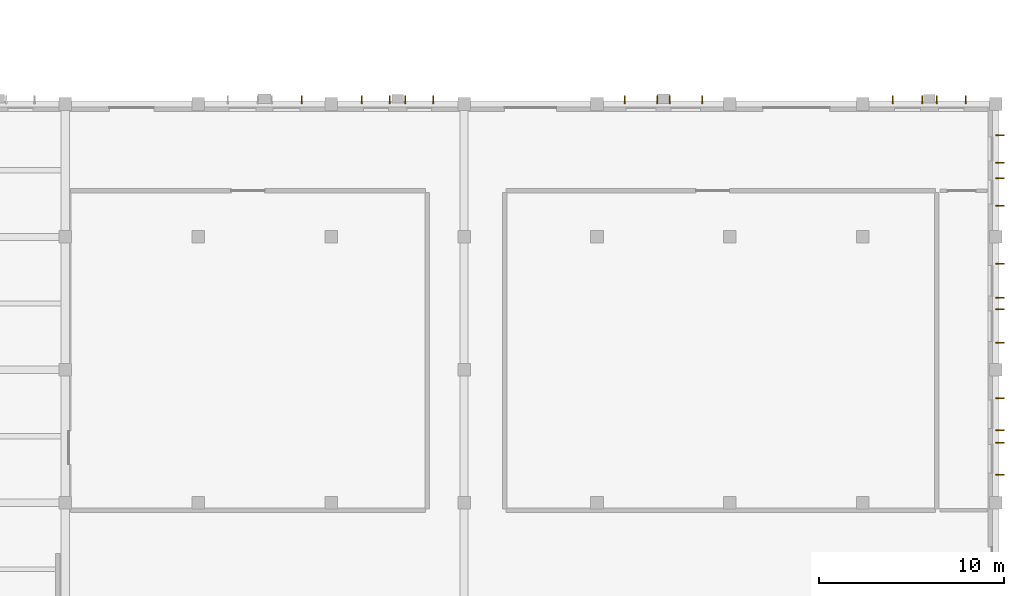
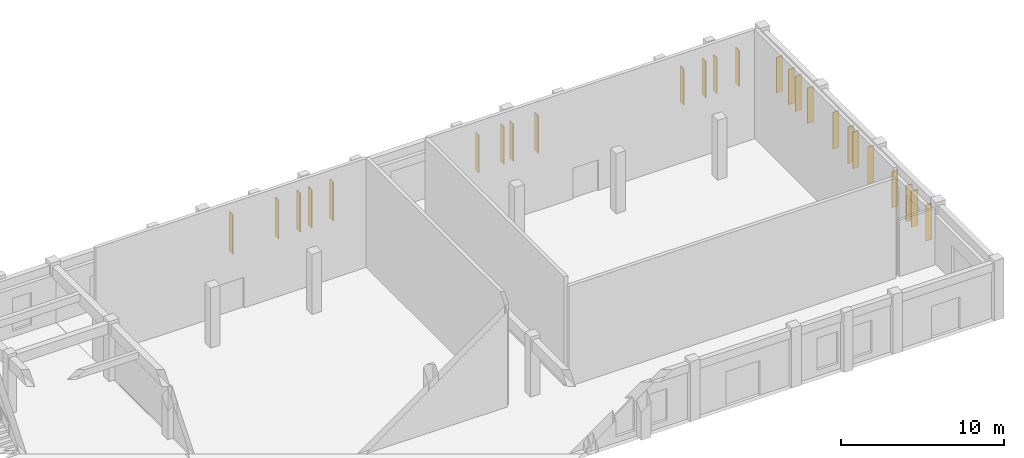
# One storey, part 43 of 43: 25 coverings.
"""IFC4 building model written with IfcOpenShell, lengths in metres."""

import ifcopenshell
import ifcopenshell.guid

model = None  # the IFC model being written
_history = None  # IfcOwnerHistory: only IFC2X3 demands one
_inside = {}  # id of a spatial element -> (the spatial element, [elements in it])
_under = {}  # id of a project, library or spatial element -> (it, [spatial elements below it])
_declared = {}  # id of a project -> (the project, [libraries it declares])
_typed = {}  # id of a type object -> (the type object, [elements of that type])
_made_of = {}  # id of a material, layer set ... -> (it, [elements and type objects made of it])


def new_model(schema):
    """Start an empty IFC model of exactly this schema.

    Asked for "IFC4X3", IfcOpenShell would pick the latest addendum, in which some entities
    have other attributes; the version numbers below select the first issue.
    IFC2X3 requires an IfcOwnerHistory on every rooted entity: one is made here for all.
    """
    global model, _history
    if schema == "IFC4X3":
        model = ifcopenshell.file(schema_version=(4, 3, 0, 0))
    else:
        model = ifcopenshell.file(schema=schema)
    _inside.clear()
    _under.clear()
    _declared.clear()
    _typed.clear()
    _made_of.clear()
    _history = None
    if model.schema == "IFC2X3":
        org = make("IfcOrganization", Name="unknown")
        user = make(
            "IfcPersonAndOrganization",
            ThePerson=make("IfcPerson", FamilyName="unknown"),
            TheOrganization=org,
        )
        app = make(
            "IfcApplication",
            ApplicationDeveloper=org,
            Version="unknown",
            ApplicationFullName="unknown",
            ApplicationIdentifier="unknown",
        )
        _history = make(
            "IfcOwnerHistory",
            OwningUser=user,
            OwningApplication=app,
            ChangeAction="ADDED",
            CreationDate=0,
        )
    return model


def make(cls, **values):
    """One entity of the class cls with the attributes given. An attribute that is None is left unset."""
    return model.create_entity(
        cls, **{name: value for name, value in values.items() if value is not None}
    )


def rooted(cls, **values):
    """An entity with a GlobalId (a new one), such as an element, a storey or a relation."""
    return make(cls, GlobalId=ifcopenshell.guid.new(), OwnerHistory=_history, **values)


def si_unit(unit_type, name, prefix=None):
    """IfcSIUnit, for example si_unit("LENGTHUNIT", "METRE", prefix="MILLI")."""
    return make("IfcSIUnit", UnitType=unit_type, Prefix=prefix, Name=name)


def assignment(units):
    """IfcUnitAssignment: the units of a project."""
    return None if units is None else make("IfcUnitAssignment", Units=units)


def point(xyz):
    """IfcCartesianPoint."""
    return None if xyz is None else make("IfcCartesianPoint", Coordinates=xyz)


def direction(xyz):
    """IfcDirection."""
    return None if xyz is None else make("IfcDirection", DirectionRatios=xyz)


def frame(location, z_axis=None, x_axis=None):
    """IfcAxis2Placement3D, a coordinate frame: its origin and axes. An axis left out is left unset."""
    return make(
        "IfcAxis2Placement3D",
        Location=point(location),
        Axis=direction(z_axis),
        RefDirection=direction(x_axis),
    )


def origin():
    """The frame at (0, 0, 0) with its axes left unset."""
    return frame((0.0, 0.0, 0.0))


def place(relative_to, where):
    """IfcLocalPlacement: puts the frame where relative to a parent placement (None: the world)."""
    return make(
        "IfcLocalPlacement", PlacementRelTo=relative_to, RelativePlacement=where
    )


def context(
    kind, dimensions, precision=None, world=None, true_north=None, identifier=None
):
    """IfcGeometricRepresentationContext, for example the 3D "Model" context."""
    return make(
        "IfcGeometricRepresentationContext",
        ContextIdentifier=identifier,
        ContextType=kind,
        CoordinateSpaceDimension=dimensions,
        Precision=precision,
        WorldCoordinateSystem=world,
        TrueNorth=true_north,
    )


def subcontext(parent, identifier, kind, view, scale=None):
    """IfcGeometricRepresentationSubContext, for example "Body" below "Model"."""
    return make(
        "IfcGeometricRepresentationSubContext",
        ContextIdentifier=identifier,
        ContextType=kind,
        ParentContext=parent,
        TargetScale=scale,
        TargetView=view,
    )


def project(units=None, contexts=None):
    """IfcProject with its units and contexts."""
    return rooted(
        "IfcProject",
        Name="project",
        RepresentationContexts=contexts,
        UnitsInContext=assignment(units),
    )


def spatial(cls, under=None, at=None, **own):
    """A site, building, storey or space (cls), placed at a placement, below another one or the project."""
    s = rooted(cls, ObjectPlacement=at, **own)
    if under is not None:
        _under.setdefault(under.id(), (under, []))[1].append(s)
    return s


def polyline(points):
    """IfcPolyline through the points."""
    return make("IfcPolyline", Points=[point(p) for p in points])


def outline(outer, holes=None, kind="AREA"):
    """IfcArbitraryClosedProfileDef: a profile drawn as a closed curve; with holes, ...WithVoids."""
    if holes is None:
        return make("IfcArbitraryClosedProfileDef", ProfileType=kind, OuterCurve=outer)
    return make(
        "IfcArbitraryProfileDefWithVoids",
        ProfileType=kind,
        OuterCurve=outer,
        InnerCurves=holes,
    )


def extrude(swept, where, along, depth):
    """IfcExtrudedAreaSolid: the profile swept, set in the frame where, extruded along a direction by depth."""
    return make(
        "IfcExtrudedAreaSolid",
        SweptArea=swept,
        Position=where,
        ExtrudedDirection=direction(along),
        Depth=depth,
    )


def shape(context_of_items, identifier, shape_type, items):
    """IfcShapeRepresentation: the items that make up one representation, for example the "Body"."""
    return make(
        "IfcShapeRepresentation",
        ContextOfItems=context_of_items,
        RepresentationIdentifier=identifier,
        RepresentationType=shape_type,
        Items=items,
    )


def material(Name=None, Category=None):
    """IfcMaterial."""
    return make("IfcMaterial", Name=Name, Category=Category)


def layer(
    of_material, thickness, ventilated=None, Name=None, Category=None, Priority=None
):
    """IfcMaterialLayer: one layer of a wall or slab, of a material (None: an air gap)."""
    return make(
        "IfcMaterialLayer",
        Material=of_material,
        LayerThickness=thickness,
        IsVentilated=ventilated,
        Name=Name,
        Category=Category,
        Priority=Priority,
    )


def layer_set(layers, Name=None):
    """IfcMaterialLayerSet."""
    return make("IfcMaterialLayerSet", MaterialLayers=layers, LayerSetName=Name)


def made_of(thing, what):
    """Note that an element or type object is made of a material, layer set ...; save() writes the relation."""
    if what is not None:
        _made_of.setdefault(what.id(), (what, []))[1].append(thing)
    return thing


def type_object(cls, material=None, **own):
    """A type object (cls), such as IfcWallType, which elements share."""
    return made_of(rooted(cls, **own), material)


def element(
    cls,
    number,
    at=None,
    inside=None,
    cuts=None,
    type_object=None,
    material=None,
    context=None,
    identifier="Body",
    shape_type=None,
    held_by="IfcProductDefinitionShape",
    body=None,
    shapes=None,
    **own,
):
    """One element of the class cls, such as IfcWall. Its Tag is "e" and its number.

    at: its placement. inside: the storey or other place that contains it. cuts: it is an
    opening in that element (IfcRelVoidsElement). A single representation is given by context,
    identifier, shape_type and body (its items); several are given by shapes. held_by: the class
    of the entity that holds the representations. save() writes the other relations.
    """
    e = rooted(cls, Tag="e%d" % number, ObjectPlacement=at, **own)
    if body is not None:
        shapes = [shape(context, identifier, shape_type, body)]
    if shapes is not None:
        e.Representation = make(held_by, Representations=shapes)
    if inside is not None:
        _inside.setdefault(inside.id(), (inside, []))[1].append(e)
    if cuts is not None:
        rooted(
            "IfcRelVoidsElement", RelatingBuildingElement=cuts, RelatedOpeningElement=e
        )
    if type_object is not None:
        _typed.setdefault(type_object.id(), (type_object, []))[1].append(e)
    return made_of(e, material)


def aggregate(whole, parts):
    """IfcRelAggregates: a whole, such as a stair, and the parts it consists of."""
    return rooted("IfcRelAggregates", RelatingObject=whole, RelatedObjects=parts)


def save(model, path):
    """Write the relations noted so far, then the file.

    IfcRelAggregates (storeys below a building ...), IfcRelContainedInSpatialStructure (elements
    in a storey), IfcRelDefinesByType, IfcRelAssociatesMaterial and IfcRelDeclares: one each for
    every whole, place, type object, material and project.
    """
    for whole, parts in _under.values():
        aggregate(whole, parts)
    for where, things in _inside.values():
        rooted(
            "IfcRelContainedInSpatialStructure",
            RelatedElements=things,
            RelatingStructure=where,
        )
    for kind, things in _typed.values():
        rooted("IfcRelDefinesByType", RelatedObjects=things, RelatingType=kind)
    for what, things in _made_of.values():
        rooted("IfcRelAssociatesMaterial", RelatedObjects=things, RelatingMaterial=what)
    for by, libraries in _declared.values():
        rooted("IfcRelDeclares", RelatingContext=by, RelatedDefinitions=libraries)
    model.write(path)


model = new_model("IFC4")

# Units and contexts
model_context = context("Model", 3, precision=1e-05, world=origin(), true_north=direction((0.0, 1.0)))
body_context = subcontext(model_context, "Body", "Model", "MODEL_VIEW")
ifc_project = project(units=[si_unit("LENGTHUNIT", "METRE"), si_unit("AREAUNIT", "SQUARE_METRE"), si_unit("VOLUMEUNIT", "CUBIC_METRE"), si_unit("PLANEANGLEUNIT", "RADIAN"), si_unit("MASSUNIT", "GRAM", prefix="KILO")], contexts=[model_context])

# Site, building, storey
site_placement = place(None, origin())
site = spatial("IfcSite", under=ifc_project, at=site_placement, CompositionType="ELEMENT")
building_placement = place(site_placement, origin())
building = spatial("IfcBuilding", under=site, at=building_placement, Name="Alvorim Cloister Faculty of Sciences", CompositionType="ELEMENT")
storey_placement = place(building_placement, origin())
storey = spatial("IfcBuildingStorey", under=building, at=storey_placement, Name="L00", CompositionType="ELEMENT", Elevation=0.0)

# Coverings
ifc_material = material(Name="Anodised Aluminium Alloy 6063-T6", Category="aluminium")
ifc_layer = layer(ifc_material, 0.054931640625)
ifc_layer_set = layer_set([ifc_layer], Name="Anodised Aluminium Alloy 6063-T6")
covering_type = type_object("IfcCoveringType", Name="COV-SHD-FIN", PredefinedType="CLADDING", material=ifc_layer_set)
covering_placement = place(storey_placement, frame((128.006591796875, 28.800048828125, 0.389892578125), z_axis=(0.0, 0.0, 1.0), x_axis=(0.0, 1.0, 0.0)))
element("IfcCovering", 1, at=covering_placement, inside=storey, type_object=covering_type, Name="L00 Brise-Soleil Vertical Fin COV-FIN-00130", PredefinedType="CLADDING", context=body_context, shape_type="SweptSolid", body=[
    extrude(outline(polyline([(0.0, 0.0), (0.43994140625, 0.0), (0.43994140625, 2.960205078125), (0.0, 2.960205078125), (0.0, 0.0)])), frame((0.0, 0.02734375, 0.0), z_axis=(0.0, -1.0, 0.0), x_axis=(1.0, 0.0, 0.0)), (0.0, 0.0, 1.0), 0.054931640625),
])
for number, where, z_axis, x_axis, name in (
    (2, (131.260009765625, 28.800048828125, 0.389892578125), (0.0, 0.0, 1.0), (0.0, 1.0, 0.0), "L00 Brise-Soleil Vertical Fin COV-FIN-00131"),
    (3, (132.7900390625, 28.800048828125, 0.389892578125), (0.0, 0.0, 1.0), (0.0, 1.0, 0.0), "L00 Brise-Soleil Vertical Fin COV-FIN-00132"),
    (4, (133.610107421875, 28.800048828125, 0.389892578125), (0.0, 0.0, 1.0), (0.0, 1.0, 0.0), "L00 Brise-Soleil Vertical Fin COV-FIN-00133"),
    (5, (135.139892578125, 28.800048828125, 0.389892578125), (0.0, 0.0, 1.0), (0.0, 1.0, 0.0), "L00 Brise-Soleil Vertical Fin COV-FIN-00134"),
):
    element("IfcCovering", number, at=place(storey_placement, frame(where, z_axis=z_axis, x_axis=x_axis)), inside=storey, type_object=covering_type, Name=name, PredefinedType="CLADDING", context=body_context, shape_type="SweptSolid", body=[
        extrude(outline(polyline([(0.0, 0.0), (0.43994140625, 0.0), (0.43994140625, 2.91015625), (0.0, 2.91015625), (0.0, 0.0)])), frame((0.0, 0.02734375, 0.0), z_axis=(0.0, -1.0, 0.0), x_axis=(1.0, 0.0, 0.0)), (0.0, 0.0, 1.0), 0.054931640625),
    ])
for number, where, z_axis, x_axis, name in (
    (6, (145.493408203125, 28.800048828125, 0.389892578125), (0.0, 0.0, 1.0), (0.0, 1.0, 0.0), "L00 Brise-Soleil Vertical Fin COV-FIN-00135"),
    (7, (147.273193359375, 28.800048828125, 0.389892578125), (0.0, 0.0, 1.0), (0.0, 1.0, 0.0), "L00 Brise-Soleil Vertical Fin COV-FIN-00136"),
    (8, (147.9267578125, 28.800048828125, 0.389892578125), (0.0, 0.0, 1.0), (0.0, 1.0, 0.0), "L00 Brise-Soleil Vertical Fin COV-FIN-00137"),
    (9, (149.706787109375, 28.800048828125, 0.389892578125), (0.0, 0.0, 1.0), (0.0, 1.0, 0.0), "L00 Brise-Soleil Vertical Fin COV-FIN-00138"),
):
    element("IfcCovering", number, at=place(storey_placement, frame(where, z_axis=z_axis, x_axis=x_axis)), inside=storey, type_object=covering_type, Name=name, PredefinedType="CLADDING", context=body_context, shape_type="SweptSolid", body=[
        extrude(outline(polyline([(0.0, 0.0), (0.43994140625, 0.0), (0.43994140625, 2.81005859375), (0.0, 2.81005859375), (0.0, 0.0)])), frame((0.0, 0.02734375, 0.0), z_axis=(0.0, -1.0, 0.0), x_axis=(1.0, 0.0, 0.0)), (0.0, 0.0, 1.0), 0.054931640625),
    ])
for number, where, z_axis, x_axis, name in (
    (10, (160.026611328125, 28.800048828125, 0.389892578125), (0.0, 0.0, 1.0), (0.0, 1.0, 0.0), "L00 Brise-Soleil Vertical Fin COV-FIN-00139"),
    (11, (161.606689453125, 28.800048828125, 0.389892578125), (0.0, 0.0, 1.0), (0.0, 1.0, 0.0), "L00 Brise-Soleil Vertical Fin COV-FIN-00140"),
    (12, (162.393310546875, 28.800048828125, 0.389892578125), (0.0, 0.0, 1.0), (0.0, 1.0, 0.0), "L00 Brise-Soleil Vertical Fin COV-FIN-00141"),
    (13, (163.973388671875, 28.800048828125, 0.389892578125), (0.0, 0.0, 1.0), (0.0, 1.0, 0.0), "L00 Brise-Soleil Vertical Fin COV-FIN-00142"),
):
    element("IfcCovering", number, at=place(storey_placement, frame(where, z_axis=z_axis, x_axis=x_axis)), inside=storey, type_object=covering_type, Name=name, PredefinedType="CLADDING", context=body_context, shape_type="SweptSolid", body=[
        extrude(outline(polyline([(0.0, 0.0), (0.43994140625, 0.0), (0.43994140625, 2.710205078125), (0.0, 2.710205078125), (0.0, 0.0)])), frame((0.0, 0.02734375, 0.0), z_axis=(0.0, -1.0, 0.0), x_axis=(1.0, 0.0, 0.0)), (0.0, 0.0, 1.0), 0.054931640625),
    ])
for number, where, z_axis, x_axis, name in (
    (14, (165.60009765625, 23.293212890625, 0.389892578125), (0.0, 0.0, 1.0), (1.0, 0.0, 0.0), "L00 Brise-Soleil Vertical Fin COV-FIN-00143"),
    (15, (165.60009765625, 24.773193359375, 0.389892578125), (0.0, 0.0, 1.0), (1.0, 0.0, 0.0), "L00 Brise-Soleil Vertical Fin COV-FIN-00144"),
    (16, (165.60009765625, 25.626708984375, 0.389892578125), (0.0, 0.0, 1.0), (1.0, 0.0, 0.0), "L00 Brise-Soleil Vertical Fin COV-FIN-00145"),
    (17, (165.60009765625, 27.106689453125, 0.389892578125), (0.0, 0.0, 1.0), (1.0, 0.0, 0.0), "L00 Brise-Soleil Vertical Fin COV-FIN-00146"),
):
    element("IfcCovering", number, at=place(storey_placement, frame(where, z_axis=z_axis, x_axis=x_axis)), inside=storey, type_object=covering_type, Name=name, PredefinedType="CLADDING", context=body_context, shape_type="SweptSolid", body=[
        extrude(outline(polyline([(0.0, 0.0), (0.43994140625, 0.0), (0.43994140625, 2.66015625), (0.0, 2.66015625), (0.0, 0.0)])), frame((0.0, 0.02734375, 0.0), z_axis=(0.0, -1.0, 0.0), x_axis=(1.0, 0.0, 0.0)), (0.0, 0.0, 1.0), 0.054931640625),
    ])
for number, where, z_axis, x_axis, name in (
    (18, (165.60009765625, 15.860107421875, 0.389892578125), (0.0, 0.0, 1.0), (1.0, 0.0, 0.0), "L00 Brise-Soleil Vertical Fin COV-FIN-00147"),
    (19, (165.60009765625, 17.68994140625, 0.389892578125), (0.0, 0.0, 1.0), (1.0, 0.0, 0.0), "L00 Brise-Soleil Vertical Fin COV-FIN-00148"),
    (20, (165.60009765625, 18.31005859375, 0.389892578125), (0.0, 0.0, 1.0), (1.0, 0.0, 0.0), "L00 Brise-Soleil Vertical Fin COV-FIN-00149"),
    (21, (165.60009765625, 20.139892578125, 0.389892578125), (0.0, 0.0, 1.0), (1.0, 0.0, 0.0), "L00 Brise-Soleil Vertical Fin COV-FIN-00150"),
):
    element("IfcCovering", number, at=place(storey_placement, frame(where, z_axis=z_axis, x_axis=x_axis)), inside=storey, type_object=covering_type, Name=name, PredefinedType="CLADDING", context=body_context, shape_type="SweptSolid", body=[
        extrude(outline(polyline([(0.0, 0.0), (0.43994140625, 0.0), (0.43994140625, 2.760009765625), (0.0, 2.760009765625), (0.0, 0.0)])), frame((0.0, 0.02734375, 0.0), z_axis=(0.0, -1.0, 0.0), x_axis=(1.0, 0.0, 0.0)), (0.0, 0.0, 1.0), 0.054931640625),
    ])
for number, where, z_axis, x_axis, name in (
    (22, (165.60009765625, 8.726806640625, 0.389892578125), (0.0, 0.0, 1.0), (1.0, 0.0, 0.0), "L00 Brise-Soleil Vertical Fin COV-FIN-00151"),
    (23, (165.60009765625, 10.456787109375, 0.389892578125), (0.0, 0.0, 1.0), (1.0, 0.0, 0.0), "L00 Brise-Soleil Vertical Fin COV-FIN-00152"),
    (24, (165.60009765625, 11.143310546875, 0.389892578125), (0.0, 0.0, 1.0), (1.0, 0.0, 0.0), "L00 Brise-Soleil Vertical Fin COV-FIN-00153"),
    (25, (165.60009765625, 12.873291015625, 0.389892578125), (0.0, 0.0, 1.0), (1.0, 0.0, 0.0), "L00 Brise-Soleil Vertical Fin COV-FIN-00154"),
):
    element("IfcCovering", number, at=place(storey_placement, frame(where, z_axis=z_axis, x_axis=x_axis)), inside=storey, type_object=covering_type, Name=name, PredefinedType="CLADDING", context=body_context, shape_type="SweptSolid", body=[
        extrude(outline(polyline([(0.0, 0.0), (0.43994140625, 0.0), (0.43994140625, 2.710205078125), (0.0, 2.710205078125), (0.0, 0.0)])), frame((0.0, 0.02734375, 0.0), z_axis=(0.0, -1.0, 0.0), x_axis=(1.0, 0.0, 0.0)), (0.0, 0.0, 1.0), 0.054931640625),
    ])

save(model, "model.ifc")
